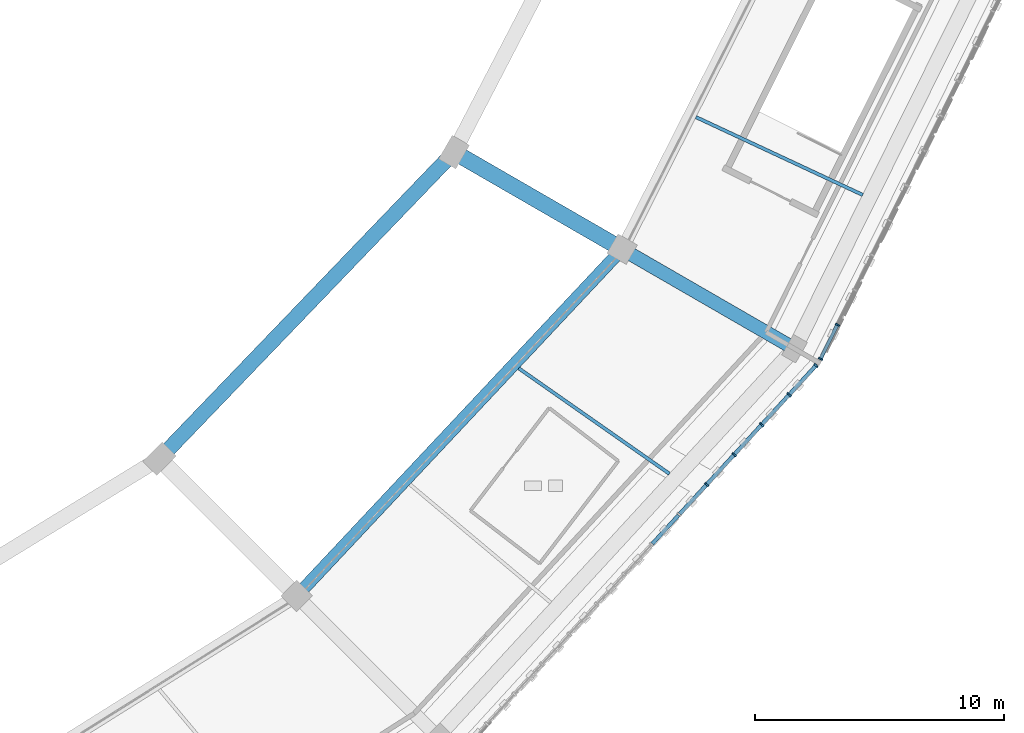
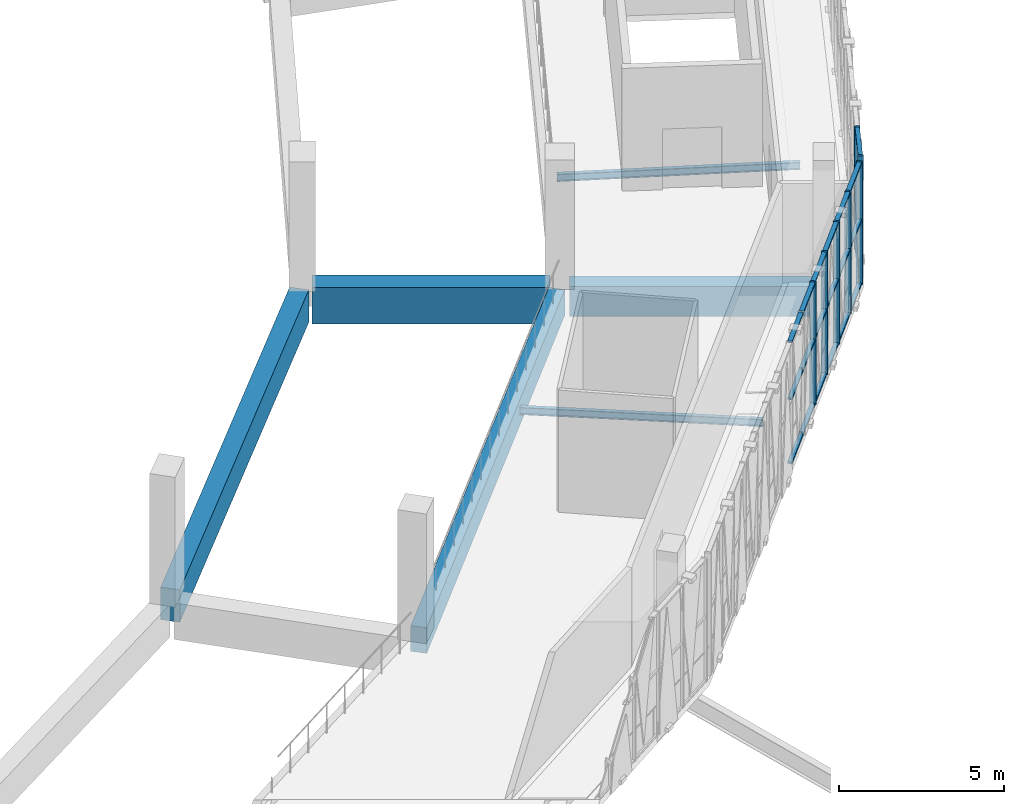
# One storey, part 24 of 108: 28 members, 6 beams, 2 elements without a shape of their own.
"""IFC4 building model written with IfcOpenShell, lengths in metres."""

from ifc_helpers import new_model, si_unit, direction, frame, origin, origin_2d, place, context, subcontext, project, spatial, rectangle, i_section, extrude, material, material_profile, profile_set, type_object, element, aggregate, save


model = new_model("IFC4")

# Units and contexts
model_context = context("Model", 3, precision=1e-05, world=origin(), true_north=direction((0.0, 1.0)))
body_context = subcontext(model_context, "Body", "Model", "MODEL_VIEW")
ifc_project = project(units=[si_unit("LENGTHUNIT", "METRE"), si_unit("AREAUNIT", "SQUARE_METRE"), si_unit("VOLUMEUNIT", "CUBIC_METRE"), si_unit("PLANEANGLEUNIT", "RADIAN"), si_unit("MASSUNIT", "GRAM", prefix="KILO")], contexts=[model_context])

# Site, building, storey
site_placement = place(None, origin())
site = spatial("IfcSite", under=ifc_project, at=site_placement, CompositionType="ELEMENT")
building_placement = place(site_placement, origin())
building = spatial("IfcBuilding", under=site, at=building_placement, Name="Zevraka Park Crest Stadium", CompositionType="ELEMENT")
storey_placement = place(building_placement, frame((0.0, 0.0, 19.800048828125)))
storey = spatial("IfcBuildingStorey", under=building, at=storey_placement, Name="L04", CompositionType="ELEMENT", Elevation=19.800048828125)

# Beams
ifc_material_1 = material(Name="Concrete C40/50", Category="concrete")
ifc_material_profile_1 = material_profile(ifc_material_1, rectangle(XDim=0.64990234375, YDim=1.35009765625, at=origin_2d()), Name="RC 1350x650")
ifc_profile_set_1 = profile_set([ifc_material_profile_1], Name="Concrete C40/50")
beam_type_1 = type_object("IfcBeamType", Name="BG01", PredefinedType="BEAM", material=ifc_profile_set_1)
beam_1_placement = place(storey_placement, frame((176.779052734375, 62.10009765625, -0.68505859375), z_axis=(0.866001485781, -0.500041424909, 0.0), x_axis=(0.500041424909, 0.866001485781, 0.0)))
element("IfcBeam", 1, at=beam_1_placement, inside=storey, type_object=beam_type_1, Name="Radial Girder BG01 L04-BC-22", PredefinedType="BEAM", context=body_context, shape_type="SweptSolid", body=[
    extrude(rectangle(XDim=0.64990234375, YDim=1.35009765625, at=origin_2d()), origin(), (0.0, 0.0, 1.0), 7.19970703125),
])
ifc_material_2 = material(Name="Concrete C40/50", Category="concrete")
ifc_material_profile_2 = material_profile(ifc_material_2, rectangle(XDim=0.550048828125, YDim=1.10009765625, at=origin_2d()), Name="RC 1100x550")
ifc_profile_set_2 = profile_set([ifc_material_profile_2], Name="Concrete C40/50")
beam_type_2 = type_object("IfcBeamType", Name="BG02", PredefinedType="BEAM", material=ifc_profile_set_2)
beam_2_placement = place(storey_placement, frame((183.533935546875, 58.199951171875, -0.56005859375), z_axis=(0.86600700885, -0.500031859608, 0.0), x_axis=(0.500031859608, 0.86600700885, 0.0)))
element("IfcBeam", 2, at=beam_2_placement, inside=storey, type_object=beam_type_2, Name="Radial Girder BG02 L04-CD-22", PredefinedType="BEAM", context=body_context, shape_type="SweptSolid", body=[
    extrude(rectangle(XDim=0.550048828125, YDim=1.10009765625, at=origin_2d()), origin(), (0.0, 0.0, 1.0), 7.3994140625),
])

# Curtain wall, members
ifc_material_3 = material(Name="Anodised architectural aluminium and laminated safety glass", Category="aluminium")
curtain_wall_type_1 = type_object("IfcCurtainWallType", Name="CW17", PredefinedType="NOTDEFINED", material=ifc_material_3)
curtain_wall_1_placement = place(storey_placement, origin())
curtain_wall_1 = element("IfcCurtainWall", 3, at=curtain_wall_1_placement, inside=storey, type_object=curtain_wall_type_1, Name="Unitised Ring Curtain Wall CW17 L04-22", PredefinedType="NOTDEFINED")
ifc_material_4 = material(Name="Anodised architectural aluminium", Category="aluminium")
ifc_material_profile_3 = material_profile(ifc_material_4, rectangle(XDim=0.179931640625, YDim=0.06494140625, at=origin_2d()), Name="ALU MULLION 180x65")
ifc_profile_set_3 = profile_set([ifc_material_profile_3], Name="Anodised architectural aluminium")
member_type_1 = type_object("IfcMemberType", Name="CM02", PredefinedType="MULLION", material=ifc_profile_set_3)
member_1_placement = place(storey_placement, frame((191.245361328125, 53.940185546875, 0.0), z_axis=(0.0, 0.0, 1.0), x_axis=(-0.896046076106, 0.443961067545, 0.0)))
member_1 = element("IfcMember", 4, at=member_1_placement, type_object=member_type_1, Name="CW17 mullion 1", PredefinedType="MULLION", context=body_context, shape_type="SweptSolid", body=[
    extrude(rectangle(XDim=0.179931640625, YDim=0.06494140625, at=origin_2d()), origin(), (0.0, 0.0, 1.0), 4.5400390625),
])
member_2_placement = place(storey_placement, frame((191.924560546875, 55.31103515625, 0.0), z_axis=(0.0, 0.0, 1.0), x_axis=(-0.896046076106, 0.443961067545, 0.0)))
member_2 = element("IfcMember", 5, at=member_2_placement, type_object=member_type_1, Name="CW17 mullion 2", PredefinedType="MULLION", context=body_context, shape_type="SweptSolid", body=[
    extrude(rectangle(XDim=0.179931640625, YDim=0.06494140625, at=origin_2d()), origin(), (0.0, 0.0, 1.0), 4.5400390625),
])

ifc_material_5 = material(Name="Anodised architectural aluminium and laminated safety glass", Category="aluminium")
curtain_wall_type_2 = type_object("IfcCurtainWallType", Name="CW18", PredefinedType="NOTDEFINED", material=ifc_material_5)
curtain_wall_2_placement = place(storey_placement, origin())
curtain_wall_2 = element("IfcCurtainWall", 6, at=curtain_wall_2_placement, inside=storey, type_object=curtain_wall_type_2, Name="Unitised Ring Curtain Wall CW18 L04-21", PredefinedType="NOTDEFINED")
ifc_material_6 = material(Name="Anodised architectural aluminium", Category="aluminium")
ifc_material_profile_4 = material_profile(ifc_material_6, rectangle(XDim=0.199951171875, YDim=0.070068359375, at=origin_2d()), Name="ALU MULLION 200x70")
ifc_profile_set_4 = profile_set([ifc_material_profile_4], Name="Anodised architectural aluminium")
member_type_2 = type_object("IfcMemberType", Name="CM03", PredefinedType="MULLION", material=ifc_profile_set_4)
member_3_placement = place(storey_placement, frame((186.67138671875, 48.889404296875, 0.0), z_axis=(0.0, 0.0, 1.0), x_axis=(-0.736774619932, 0.676138417355, 0.0)))
member_3 = element("IfcMember", 7, at=member_3_placement, type_object=member_type_2, Name="CW18 mullion 10", PredefinedType="MULLION", context=body_context, shape_type="SweptSolid", body=[
    extrude(rectangle(XDim=0.199951171875, YDim=0.070068359375, at=origin_2d()), origin(), (0.0, 0.0, 1.0), 4.5400390625),
])
member_4_placement = place(storey_placement, frame((187.775146484375, 50.09228515625, 0.0), z_axis=(0.0, 0.0, 1.0), x_axis=(-0.736774619932, 0.676138417355, 0.0)))
member_4 = element("IfcMember", 8, at=member_4_placement, type_object=member_type_2, Name="CW18 mullion 11", PredefinedType="MULLION", context=body_context, shape_type="SweptSolid", body=[
    extrude(rectangle(XDim=0.199951171875, YDim=0.070068359375, at=origin_2d()), origin(), (0.0, 0.0, 1.0), 4.5400390625),
])
member_5_placement = place(storey_placement, frame((188.879150390625, 51.295166015625, 0.0), z_axis=(0.0, 0.0, 1.0), x_axis=(-0.736774619932, 0.676138417355, 0.0)))
member_5 = element("IfcMember", 9, at=member_5_placement, type_object=member_type_2, Name="CW18 mullion 12", PredefinedType="MULLION", context=body_context, shape_type="SweptSolid", body=[
    extrude(rectangle(XDim=0.199951171875, YDim=0.070068359375, at=origin_2d()), origin(), (0.0, 0.0, 1.0), 4.5400390625),
])
member_6_placement = place(storey_placement, frame((189.983154296875, 52.498046875, 0.0), z_axis=(0.0, 0.0, 1.0), x_axis=(-0.736774619932, 0.676138417355, 0.0)))
member_6 = element("IfcMember", 10, at=member_6_placement, type_object=member_type_2, Name="CW18 mullion 13", PredefinedType="MULLION", context=body_context, shape_type="SweptSolid", body=[
    extrude(rectangle(XDim=0.199951171875, YDim=0.070068359375, at=origin_2d()), origin(), (0.0, 0.0, 1.0), 4.5400390625),
])
member_7_placement = place(storey_placement, frame((191.063232421875, 53.67529296875, 0.0), z_axis=(0.0, 0.0, 1.0), x_axis=(-0.736774619932, 0.676138417355, 0.0)))
member_7 = element("IfcMember", 11, at=member_7_placement, type_object=member_type_2, Name="CW18 mullion 14", PredefinedType="MULLION", context=body_context, shape_type="SweptSolid", body=[
    extrude(rectangle(XDim=0.199951171875, YDim=0.070068359375, at=origin_2d()), origin(), (0.0, 0.0, 1.0), 4.5400390625),
])

# Member
ifc_material_7 = material(Name="Anodised architectural aluminium", Category="aluminium")
ifc_material_profile_5 = material_profile(ifc_material_7, rectangle(XDim=0.139892578125, YDim=0.06494140625, at=origin_2d()), Name="ALU TRANSOM 140x65")
ifc_profile_set_5 = profile_set([ifc_material_profile_5], Name="Anodised architectural aluminium")
member_type_3 = type_object("IfcMemberType", Name="CT02", PredefinedType="USERDEFINED", material=ifc_profile_set_5)
member_8_placement = place(storey_placement, frame((191.259765625, 53.96923828125, 0.032470703125), z_axis=(0.444010656384, 0.896021504774, 0.0), x_axis=(-0.896021504774, 0.444010656384, 0.0)))
member_8 = element("IfcMember", 12, at=member_8_placement, type_object=member_type_3, Name="CW17 transom 1.1", ObjectType="TRANSOM", PredefinedType="USERDEFINED", context=body_context, shape_type="SweptSolid", body=[
    extrude(rectangle(XDim=0.139892578125, YDim=0.06494140625, at=origin_2d()), origin(), (0.0, 0.0, 1.0), 1.46484375),
])

member_9_placement = place(storey_placement, frame((191.259765625, 53.96923828125, 2.39990234375), z_axis=(0.444010656384, 0.896021504774, 0.0), x_axis=(-0.896021504774, 0.444010656384, 0.0)))
member_9 = element("IfcMember", 13, at=member_9_placement, type_object=member_type_3, Name="CW17 transom 1.2", ObjectType="TRANSOM", PredefinedType="USERDEFINED", context=body_context, shape_type="SweptSolid", body=[
    extrude(rectangle(XDim=0.139892578125, YDim=0.06494140625, at=origin_2d()), origin(), (0.0, 0.0, 1.0), 1.46484375),
])

member_10_placement = place(storey_placement, frame((191.259765625, 53.96923828125, 4.507568359375), z_axis=(0.444010656384, 0.896021504774, 0.0), x_axis=(-0.896021504774, 0.444010656384, 0.0)))
member_10 = element("IfcMember", 14, at=member_10_placement, type_object=member_type_3, Name="CW17 transom 1.3", ObjectType="TRANSOM", PredefinedType="USERDEFINED", context=body_context, shape_type="SweptSolid", body=[
    extrude(rectangle(XDim=0.139892578125, YDim=0.06494140625, at=origin_2d()), origin(), (0.0, 0.0, 1.0), 1.46484375),
])

aggregate(curtain_wall_1, [member_1, member_2, member_8, member_9, member_10])

ifc_material_8 = material(Name="Anodised architectural aluminium", Category="aluminium")
ifc_material_profile_6 = material_profile(ifc_material_8, rectangle(XDim=0.14990234375, YDim=0.070068359375, at=origin_2d()), Name="ALU TRANSOM 150x70")
ifc_profile_set_6 = profile_set([ifc_material_profile_6], Name="Anodised architectural aluminium")
member_type_4 = type_object("IfcMemberType", Name="CT03", PredefinedType="USERDEFINED", material=ifc_profile_set_6)
member_11_placement = place(storey_placement, frame((184.487060546875, 46.50927734375, 0.034912109375), z_axis=(0.67614898138, 0.736764925182, 0.0), x_axis=(-0.736764925182, 0.67614898138, 0.0)))
member_11 = element("IfcMember", 15, at=member_11_placement, type_object=member_type_4, Name="CW18 transom 8.1", ObjectType="TRANSOM", PredefinedType="USERDEFINED", context=body_context, shape_type="SweptSolid", body=[
    extrude(rectangle(XDim=0.14990234375, YDim=0.070068359375, at=origin_2d()), origin(), (0.0, 0.0, 1.0), 1.562744140625),
])

member_12_placement = place(storey_placement, frame((184.487060546875, 46.50927734375, 2.39990234375), z_axis=(0.67614898138, 0.736764925182, 0.0), x_axis=(-0.736764925182, 0.67614898138, 0.0)))
member_12 = element("IfcMember", 16, at=member_12_placement, type_object=member_type_4, Name="CW18 transom 8.2", ObjectType="TRANSOM", PredefinedType="USERDEFINED", context=body_context, shape_type="SweptSolid", body=[
    extrude(rectangle(XDim=0.14990234375, YDim=0.070068359375, at=origin_2d()), origin(), (0.0, 0.0, 1.0), 1.562744140625),
])

member_13_placement = place(storey_placement, frame((184.487060546875, 46.50927734375, 4.5048828125), z_axis=(0.67614898138, 0.736764925182, 0.0), x_axis=(-0.736764925182, 0.67614898138, 0.0)))
member_13 = element("IfcMember", 17, at=member_13_placement, type_object=member_type_4, Name="CW18 transom 8.3", ObjectType="TRANSOM", PredefinedType="USERDEFINED", context=body_context, shape_type="SweptSolid", body=[
    extrude(rectangle(XDim=0.14990234375, YDim=0.070068359375, at=origin_2d()), origin(), (0.0, 0.0, 1.0), 1.562744140625),
])

member_14_placement = place(storey_placement, frame((185.591064453125, 47.712158203125, 0.034912109375), z_axis=(0.67614898138, 0.736764925182, 0.0), x_axis=(-0.736764925182, 0.67614898138, 0.0)))
member_14 = element("IfcMember", 18, at=member_14_placement, type_object=member_type_4, Name="CW18 transom 9.1", ObjectType="TRANSOM", PredefinedType="USERDEFINED", context=body_context, shape_type="SweptSolid", body=[
    extrude(rectangle(XDim=0.14990234375, YDim=0.070068359375, at=origin_2d()), origin(), (0.0, 0.0, 1.0), 1.562744140625),
])

member_15_placement = place(storey_placement, frame((185.591064453125, 47.712158203125, 2.39990234375), z_axis=(0.67614898138, 0.736764925182, 0.0), x_axis=(-0.736764925182, 0.67614898138, 0.0)))
member_15 = element("IfcMember", 19, at=member_15_placement, type_object=member_type_4, Name="CW18 transom 9.2", ObjectType="TRANSOM", PredefinedType="USERDEFINED", context=body_context, shape_type="SweptSolid", body=[
    extrude(rectangle(XDim=0.14990234375, YDim=0.070068359375, at=origin_2d()), origin(), (0.0, 0.0, 1.0), 1.562744140625),
])

member_16_placement = place(storey_placement, frame((185.591064453125, 47.712158203125, 4.5048828125), z_axis=(0.67614898138, 0.736764925182, 0.0), x_axis=(-0.736764925182, 0.67614898138, 0.0)))
member_16 = element("IfcMember", 20, at=member_16_placement, type_object=member_type_4, Name="CW18 transom 9.3", ObjectType="TRANSOM", PredefinedType="USERDEFINED", context=body_context, shape_type="SweptSolid", body=[
    extrude(rectangle(XDim=0.14990234375, YDim=0.070068359375, at=origin_2d()), origin(), (0.0, 0.0, 1.0), 1.562744140625),
])

member_17_placement = place(storey_placement, frame((186.695068359375, 48.9150390625, 0.034912109375), z_axis=(0.676064164587, 0.73684275484, 0.0), x_axis=(-0.73684275484, 0.676064164587, 0.0)))
member_17 = element("IfcMember", 21, at=member_17_placement, type_object=member_type_4, Name="CW18 transom 10.1", ObjectType="TRANSOM", PredefinedType="USERDEFINED", context=body_context, shape_type="SweptSolid", body=[
    extrude(rectangle(XDim=0.14990234375, YDim=0.070068359375, at=origin_2d()), origin(), (0.0, 0.0, 1.0), 1.5625),
])

member_18_placement = place(storey_placement, frame((186.695068359375, 48.9150390625, 2.39990234375), z_axis=(0.676064164587, 0.73684275484, 0.0), x_axis=(-0.73684275484, 0.676064164587, 0.0)))
member_18 = element("IfcMember", 22, at=member_18_placement, type_object=member_type_4, Name="CW18 transom 10.2", ObjectType="TRANSOM", PredefinedType="USERDEFINED", context=body_context, shape_type="SweptSolid", body=[
    extrude(rectangle(XDim=0.14990234375, YDim=0.070068359375, at=origin_2d()), origin(), (0.0, 0.0, 1.0), 1.5625),
])

member_19_placement = place(storey_placement, frame((186.695068359375, 48.9150390625, 4.5048828125), z_axis=(0.676064164587, 0.73684275484, 0.0), x_axis=(-0.73684275484, 0.676064164587, 0.0)))
member_19 = element("IfcMember", 23, at=member_19_placement, type_object=member_type_4, Name="CW18 transom 10.3", ObjectType="TRANSOM", PredefinedType="USERDEFINED", context=body_context, shape_type="SweptSolid", body=[
    extrude(rectangle(XDim=0.14990234375, YDim=0.070068359375, at=origin_2d()), origin(), (0.0, 0.0, 1.0), 1.5625),
])

member_20_placement = place(storey_placement, frame((187.798828125, 50.117919921875, 0.034912109375), z_axis=(0.67614898138, 0.736764925182, 0.0), x_axis=(-0.736764925182, 0.67614898138, 0.0)))
member_20 = element("IfcMember", 24, at=member_20_placement, type_object=member_type_4, Name="CW18 transom 11.1", ObjectType="TRANSOM", PredefinedType="USERDEFINED", context=body_context, shape_type="SweptSolid", body=[
    extrude(rectangle(XDim=0.14990234375, YDim=0.070068359375, at=origin_2d()), origin(), (0.0, 0.0, 1.0), 1.562744140625),
])

member_21_placement = place(storey_placement, frame((187.798828125, 50.117919921875, 2.39990234375), z_axis=(0.67614898138, 0.736764925182, 0.0), x_axis=(-0.736764925182, 0.67614898138, 0.0)))
member_21 = element("IfcMember", 25, at=member_21_placement, type_object=member_type_4, Name="CW18 transom 11.2", ObjectType="TRANSOM", PredefinedType="USERDEFINED", context=body_context, shape_type="SweptSolid", body=[
    extrude(rectangle(XDim=0.14990234375, YDim=0.070068359375, at=origin_2d()), origin(), (0.0, 0.0, 1.0), 1.562744140625),
])

member_22_placement = place(storey_placement, frame((187.798828125, 50.117919921875, 4.5048828125), z_axis=(0.67614898138, 0.736764925182, 0.0), x_axis=(-0.736764925182, 0.67614898138, 0.0)))
member_22 = element("IfcMember", 26, at=member_22_placement, type_object=member_type_4, Name="CW18 transom 11.3", ObjectType="TRANSOM", PredefinedType="USERDEFINED", context=body_context, shape_type="SweptSolid", body=[
    extrude(rectangle(XDim=0.14990234375, YDim=0.070068359375, at=origin_2d()), origin(), (0.0, 0.0, 1.0), 1.562744140625),
])

member_23_placement = place(storey_placement, frame((188.90283203125, 51.321044921875, 0.034912109375), z_axis=(0.676226812884, 0.736693489544, 0.0), x_axis=(-0.736693489544, 0.676226812884, 0.0)))
member_23 = element("IfcMember", 27, at=member_23_placement, type_object=member_type_4, Name="CW18 transom 12.1", ObjectType="TRANSOM", PredefinedType="USERDEFINED", context=body_context, shape_type="SweptSolid", body=[
    extrude(rectangle(XDim=0.14990234375, YDim=0.070068359375, at=origin_2d()), origin(), (0.0, 0.0, 1.0), 1.5625),
])

member_24_placement = place(storey_placement, frame((188.90283203125, 51.321044921875, 2.39990234375), z_axis=(0.676226812884, 0.736693489544, 0.0), x_axis=(-0.736693489544, 0.676226812884, 0.0)))
member_24 = element("IfcMember", 28, at=member_24_placement, type_object=member_type_4, Name="CW18 transom 12.2", ObjectType="TRANSOM", PredefinedType="USERDEFINED", context=body_context, shape_type="SweptSolid", body=[
    extrude(rectangle(XDim=0.14990234375, YDim=0.070068359375, at=origin_2d()), origin(), (0.0, 0.0, 1.0), 1.5625),
])

member_25_placement = place(storey_placement, frame((188.90283203125, 51.321044921875, 4.5048828125), z_axis=(0.676226812884, 0.736693489544, 0.0), x_axis=(-0.736693489544, 0.676226812884, 0.0)))
member_25 = element("IfcMember", 29, at=member_25_placement, type_object=member_type_4, Name="CW18 transom 12.3", ObjectType="TRANSOM", PredefinedType="USERDEFINED", context=body_context, shape_type="SweptSolid", body=[
    extrude(rectangle(XDim=0.14990234375, YDim=0.070068359375, at=origin_2d()), origin(), (0.0, 0.0, 1.0), 1.5625),
])

member_26_placement = place(storey_placement, frame((190.0068359375, 52.52392578125, 0.034912109375), z_axis=(0.676086429297, 0.736822326019, 0.0), x_axis=(-0.736822326019, 0.676086429297, 0.0)))
member_26 = element("IfcMember", 30, at=member_26_placement, type_object=member_type_4, Name="CW18 transom 13.1", ObjectType="TRANSOM", PredefinedType="USERDEFINED", context=body_context, shape_type="SweptSolid", body=[
    extrude(rectangle(XDim=0.14990234375, YDim=0.070068359375, at=origin_2d()), origin(), (0.0, 0.0, 1.0), 1.527587890625),
])

member_27_placement = place(storey_placement, frame((190.0068359375, 52.52392578125, 2.39990234375), z_axis=(0.676086429297, 0.736822326019, 0.0), x_axis=(-0.736822326019, 0.676086429297, 0.0)))
member_27 = element("IfcMember", 31, at=member_27_placement, type_object=member_type_4, Name="CW18 transom 13.2", ObjectType="TRANSOM", PredefinedType="USERDEFINED", context=body_context, shape_type="SweptSolid", body=[
    extrude(rectangle(XDim=0.14990234375, YDim=0.070068359375, at=origin_2d()), origin(), (0.0, 0.0, 1.0), 1.527587890625),
])

member_28_placement = place(storey_placement, frame((190.0068359375, 52.52392578125, 4.5048828125), z_axis=(0.676086429297, 0.736822326019, 0.0), x_axis=(-0.736822326019, 0.676086429297, 0.0)))
member_28 = element("IfcMember", 32, at=member_28_placement, type_object=member_type_4, Name="CW18 transom 13.3", ObjectType="TRANSOM", PredefinedType="USERDEFINED", context=body_context, shape_type="SweptSolid", body=[
    extrude(rectangle(XDim=0.14990234375, YDim=0.070068359375, at=origin_2d()), origin(), (0.0, 0.0, 1.0), 1.527587890625),
])

aggregate(curtain_wall_2, [member_3, member_4, member_5, member_6, member_7, member_11, member_12, member_13, member_14, member_15, member_16, member_17, member_18, member_19, member_20, member_21, member_22, member_23, member_24, member_25, member_26, member_27, member_28])

# Beams
ifc_material_9 = material(Name="Concrete C40/50", Category="concrete")
ifc_material_profile_7 = material_profile(ifc_material_9, rectangle(XDim=0.60009765625, YDim=1.199951171875, at=origin_2d()), Name="RC 1200x600")
ifc_profile_set_7 = profile_set([ifc_material_profile_7], Name="Concrete C40/50")
beam_type_3 = type_object("IfcBeamType", Name="RB01", PredefinedType="BEAM", material=ifc_profile_set_7)
beam_3_placement = place(storey_placement, frame((164.94189453125, 50.200927734375, -0.610107421875), z_axis=(0.692852617328, 0.721079226342, 0.0), x_axis=(-0.721079226342, 0.692852617328, 0.0)))
element("IfcBeam", 33, at=beam_3_placement, inside=storey, type_object=beam_type_3, Name="Ring Beam RB01 L04-B-21", PredefinedType="BEAM", context=body_context, shape_type="SweptSolid", body=[
    extrude(rectangle(XDim=0.60009765625, YDim=1.199951171875, at=origin_2d()), origin(), (0.0, 0.0, 1.0), 16.329833984375),
])
ifc_material_10 = material(Name="Concrete C40/50", Category="concrete")
ifc_material_profile_8 = material_profile(ifc_material_10, rectangle(XDim=0.5, YDim=0.949951171875, at=origin_2d()), Name="RC 950x500")
ifc_profile_set_8 = profile_set([ifc_material_profile_8], Name="Concrete C40/50")
beam_type_4 = type_object("IfcBeamType", Name="RB02", PredefinedType="BEAM", material=ifc_profile_set_8)
beam_4_placement = place(storey_placement, frame((170.455078125, 44.68896484375, -0.485107421875), z_axis=(0.684268936493, 0.729229746068, 0.0), x_axis=(-0.729229746068, 0.684268936493, 0.0)))
element("IfcBeam", 34, at=beam_4_placement, inside=storey, type_object=beam_type_4, Name="Ring Beam RB02 L04-C-21", PredefinedType="BEAM", context=body_context, shape_type="SweptSolid", body=[
    extrude(rectangle(XDim=0.5, YDim=0.949951171875, at=origin_2d()), origin(), (0.0, 0.0, 1.0), 18.353759765625),
])
ifc_material_11 = material(Name="Steel S355", Category="steel")
ifc_material_profile_9 = material_profile(ifc_material_11, i_section(OverallWidth=0.135009765625, OverallDepth=0.27001953125, WebThickness=0.006591796875, FlangeThickness=0.01025390625, at=origin_2d()), Name="IPE 270")
ifc_profile_set_9 = profile_set([ifc_material_profile_9], Name="Steel S355")
beam_type_5 = type_object("IfcBeamType", Name="SJ07", PredefinedType="JOIST", material=ifc_profile_set_9)
beam_5_placement = place(storey_placement, frame((179.114990234375, 53.56396484375, -0.403076171875), z_axis=(0.819262921224, -0.573418055093, 0.0), x_axis=(0.573418055093, 0.819262921224, 0.0)))
element("IfcBeam", 35, at=beam_5_placement, inside=storey, type_object=beam_type_5, Name="Floor Joist SJ07 L04-CD-21-2", PredefinedType="JOIST", context=body_context, shape_type="SweptSolid", body=[
    extrude(i_section(OverallWidth=0.135009765625, OverallDepth=0.27001953125, WebThickness=0.006591796875, FlangeThickness=0.01025390625, at=origin_2d()), origin(), (0.0, 0.0, 1.0), 7.3994140625),
])
beam_6_placement = place(storey_placement, frame((186.237060546875, 63.656982421875, -0.403076171875), z_axis=(0.906183982971, -0.42288365895, 0.0), x_axis=(0.42288365895, 0.906183982971, 0.0)))
element("IfcBeam", 36, at=beam_6_placement, inside=storey, type_object=beam_type_5, Name="Floor Joist SJ07 L04-CD-22-1", PredefinedType="JOIST", context=body_context, shape_type="SweptSolid", body=[
    extrude(i_section(OverallWidth=0.135009765625, OverallDepth=0.27001953125, WebThickness=0.006591796875, FlangeThickness=0.01025390625, at=origin_2d()), origin(), (0.0, 0.0, 1.0), 7.39892578125),
])

save(model, "model.ifc")
